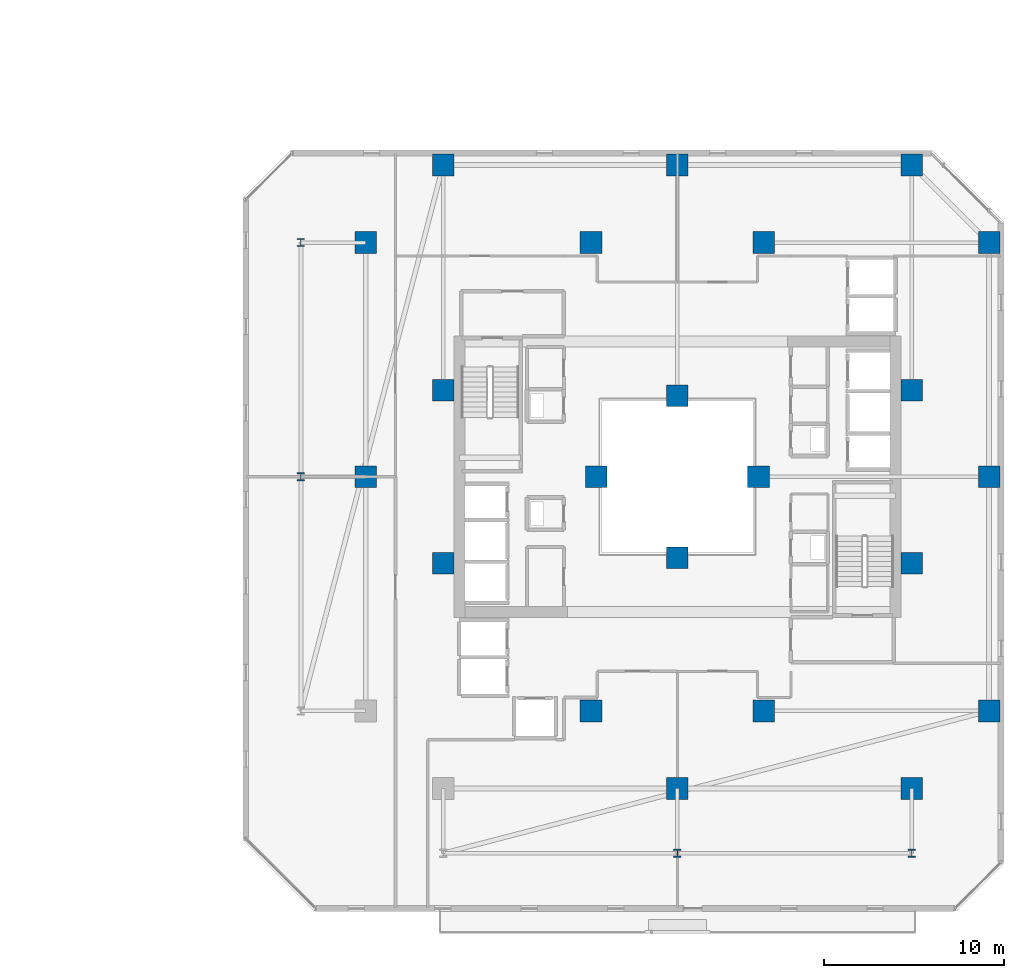
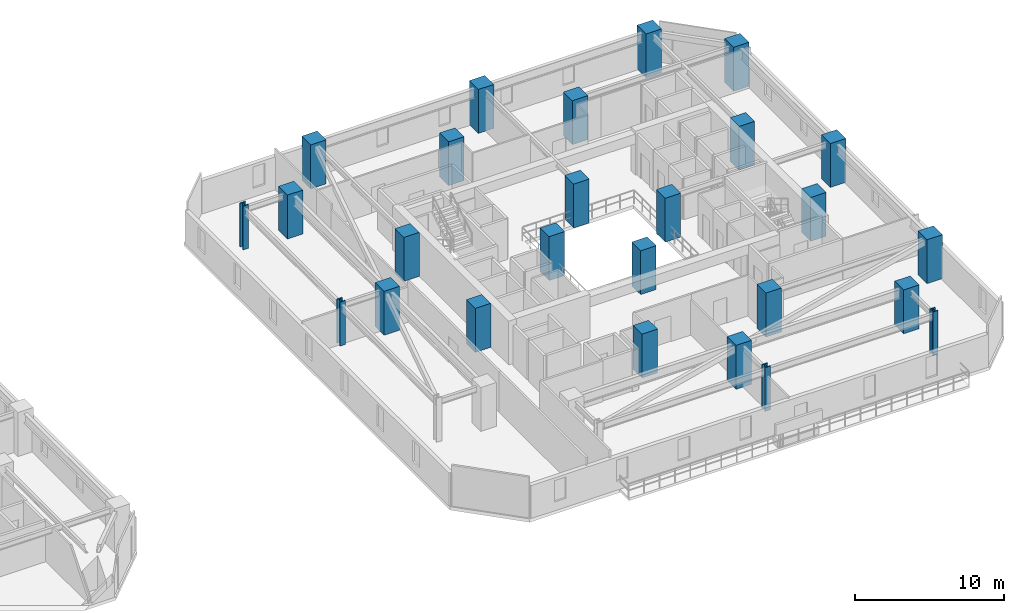
# One storey, part 2 of 33: 26 columns.
"""IFC4 building model written with IfcOpenShell, lengths in metres."""

from ifc_helpers import new_model, si_unit, direction, frame, origin, origin_2d, place, context, subcontext, project, spatial, rectangle, i_section, extrude, material, material_profile, profile_set, type_object, element, save


model = new_model("IFC4")

# Units and contexts
model_context = context("Model", 3, precision=1e-05, world=origin(), true_north=direction((0.0, 1.0)))
body_context = subcontext(model_context, "Body", "Model", "MODEL_VIEW")
ifc_project = project(units=[si_unit("LENGTHUNIT", "METRE"), si_unit("AREAUNIT", "SQUARE_METRE"), si_unit("VOLUMEUNIT", "CUBIC_METRE"), si_unit("PLANEANGLEUNIT", "RADIAN"), si_unit("MASSUNIT", "GRAM", prefix="KILO")], contexts=[model_context])

# Site, building, storey
site_placement = place(None, origin())
site = spatial("IfcSite", under=ifc_project, at=site_placement, CompositionType="ELEMENT")
building_placement = place(site_placement, origin())
building = spatial("IfcBuilding", under=site, at=building_placement, Name="Thornwick Lancets Civic Towers", CompositionType="ELEMENT")
storey_placement = place(building_placement, frame((0.0, 0.0, 101.699951171875)))
storey = spatial("IfcBuildingStorey", under=building, at=storey_placement, Name="L26", CompositionType="ELEMENT", Elevation=101.699951171875)

# Columns
ifc_material_1 = material(Name="Concrete C60/75", Category="concrete")
ifc_material_profile_1 = material_profile(ifc_material_1, rectangle(XDim=1.199951171875, YDim=1.199951171875, at=origin_2d()), Name="RC 1200x1200")
ifc_profile_set_1 = profile_set([ifc_material_profile_1], Name="Concrete C60/75")
column_type_1 = type_object("IfcColumnType", Name="COL_RC_1200", PredefinedType="COLUMN", material=ifc_profile_set_1)
for number, where, z_axis, x_axis, name in (
    (1, (105.800048828125, 14.0, 0.0), (0.0, 0.0, 1.0), (1.0, 0.0, 0.0), "L26 Spine Mega-Column B01"),
    (2, (105.800048828125, 27.0, 0.0), (0.0, 0.0, 1.0), (1.0, 0.0, 0.0), "L26 Spine Mega-Column B02"),
    (3, (105.800048828125, 40.0, 0.0), (0.0, 0.0, 1.0), (1.0, 0.0, 0.0), "L26 Spine Mega-Column B03"),
    (4, (101.5, 44.300048828125, 0.0), (0.0, 0.0, 1.0), (1.0, 0.0, 0.0), "L26 Spine Mega-Column B04"),
    (5, (88.5, 44.300048828125, 0.0), (0.0, 0.0, 1.0), (1.0, 0.0, 0.0), "L26 Spine Mega-Column B05"),
    (6, (75.5, 44.300048828125, 0.0), (0.0, 0.0, 1.0), (1.0, 0.0, 0.0), "L26 Spine Mega-Column B06"),
    (7, (71.199951171875, 27.0, 0.0), (0.0, 0.0, 1.0), (1.0, 0.0, 0.0), "L26 Spine Mega-Column B08"),
    (8, (71.199951171875, 40.0, 0.0), (0.0, 0.0, 1.0), (1.0, 0.0, 0.0), "L26 Spine Mega-Column B09"),
    (9, (101.5, 9.699951171875, 0.0), (0.0, 0.0, 1.0), (1.0, 0.0, 0.0), "L26 Spine Mega-Column B10"),
    (10, (88.5, 9.699951171875, 0.0), (0.0, 0.0, 1.0), (1.0, 0.0, 0.0), "L26 Spine Mega-Column B11"),
    (11, (93.300048828125, 14.0, 0.0), (0.0, 0.0, 1.0), (1.0, 0.0, 0.0), "L26 Spine Mega-Column B13"),
    (12, (93.300048828125, 40.0, 0.0), (0.0, 0.0, 1.0), (1.0, 0.0, 0.0), "L26 Spine Mega-Column B14"),
    (13, (83.699951171875, 14.0, 0.0), (0.0, 0.0, 1.0), (1.0, 0.0, 0.0), "L26 Spine Mega-Column B15"),
    (14, (83.699951171875, 40.0, 0.0), (0.0, 0.0, 1.0), (1.0, 0.0, 0.0), "L26 Spine Mega-Column B16"),
    (15, (101.5, 22.199951171875, 0.0), (0.0, 0.0, 1.0), (1.0, 0.0, 0.0), "L26 Spine Mega-Column B17"),
    (16, (101.5, 31.800048828125, 0.0), (0.0, 0.0, 1.0), (1.0, 0.0, 0.0), "L26 Spine Mega-Column B18"),
    (17, (75.5, 22.199951171875, 0.0), (0.0, 0.0, 1.0), (1.0, 0.0, 0.0), "L26 Spine Mega-Column B19"),
    (18, (75.5, 31.800048828125, 0.0), (0.0, 0.0, 1.0), (1.0, 0.0, 0.0), "L26 Spine Mega-Column B20"),
    (19, (93.0, 27.0, 0.0), (0.0, 0.0, 1.0), (1.0, 0.0, 0.0), "L26 Spine Mega-Column B21"),
    (20, (84.0, 27.0, 0.0), (0.0, 0.0, 1.0), (1.0, 0.0, 0.0), "L26 Spine Mega-Column B22"),
    (21, (88.5, 22.5, 0.0), (0.0, 0.0, 1.0), (1.0, 0.0, 0.0), "L26 Spine Mega-Column B23"),
    (22, (88.5, 31.5, 0.0), (0.0, 0.0, 1.0), (1.0, 0.0, 0.0), "L26 Spine Mega-Column B24"),
):
    element("IfcColumn", number, at=place(storey_placement, frame(where, z_axis=z_axis, x_axis=x_axis)), inside=storey, type_object=column_type_1, Name=name, PredefinedType="COLUMN", context=body_context, shape_type="SweptSolid", body=[
        extrude(rectangle(XDim=1.199951171875, YDim=1.199951171875, at=origin_2d()), origin(), (0.0, 0.0, 1.0), 3.60009765625),
    ])
ifc_material_2 = material(Name="Steel S460M", Category="steel")
ifc_material_profile_2 = material_profile(ifc_material_2, i_section(OverallWidth=0.41845703125, OverallDepth=0.45556640625, WebThickness=0.0419921875, FlangeThickness=0.0673828125, FilletRadius=0.01513671875, at=origin_2d()), Name="UKC 356x406x551")
ifc_profile_set_2 = profile_set([ifc_material_profile_2], Name="Steel S460M")
column_type_2 = type_object("IfcColumnType", Name="COL_UKC_551", PredefinedType="COLUMN", material=ifc_profile_set_2)
for number, where, z_axis, x_axis, name in (
    (23, (67.60009765625, 27.0, 0.0), (0.0, 0.0, 1.0), (1.0, 0.0, 0.0), "L26 Block Perimeter Column B08"),
    (24, (67.60009765625, 40.0, 0.0), (0.0, 0.0, 1.0), (1.0, 0.0, 0.0), "L26 Block Perimeter Column B09"),
    (25, (101.5, 6.10009765625, 0.0), (0.0, 0.0, 1.0), (1.0, 0.0, 0.0), "L26 Block Perimeter Column B10"),
    (26, (88.5, 6.10009765625, 0.0), (0.0, 0.0, 1.0), (1.0, 0.0, 0.0), "L26 Block Perimeter Column B11"),
):
    element("IfcColumn", number, at=place(storey_placement, frame(where, z_axis=z_axis, x_axis=x_axis)), inside=storey, type_object=column_type_2, Name=name, PredefinedType="COLUMN", context=body_context, shape_type="SweptSolid", body=[
        extrude(i_section(OverallWidth=0.41845703125, OverallDepth=0.45556640625, WebThickness=0.0419921875, FlangeThickness=0.0673828125, FilletRadius=0.01513671875, at=origin_2d()), origin(), (0.0, 0.0, 1.0), 3.60009765625),
    ])

save(model, "model.ifc")
